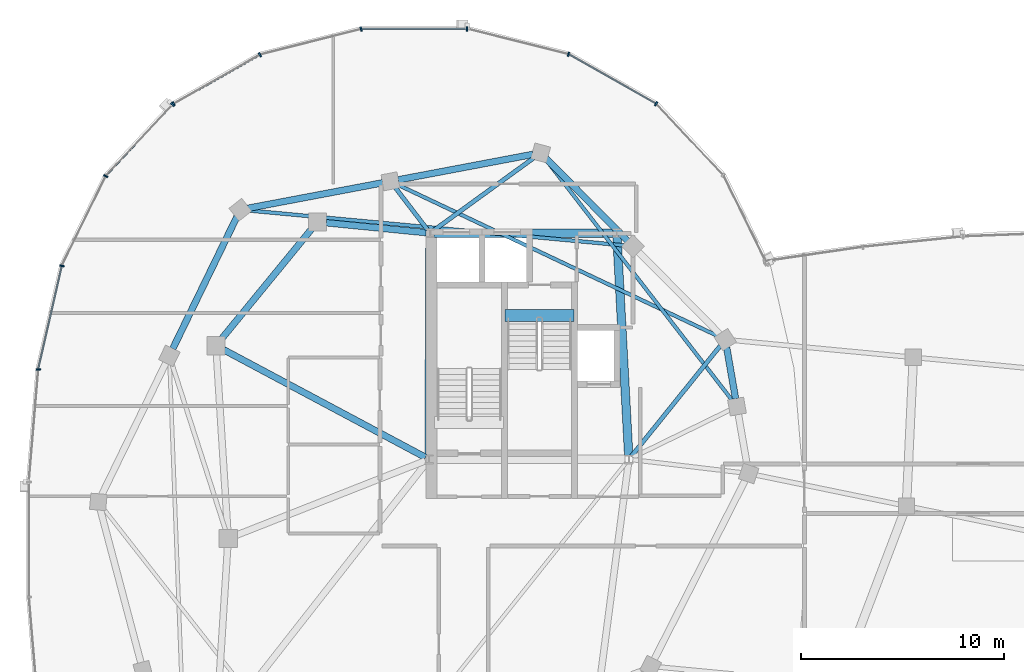
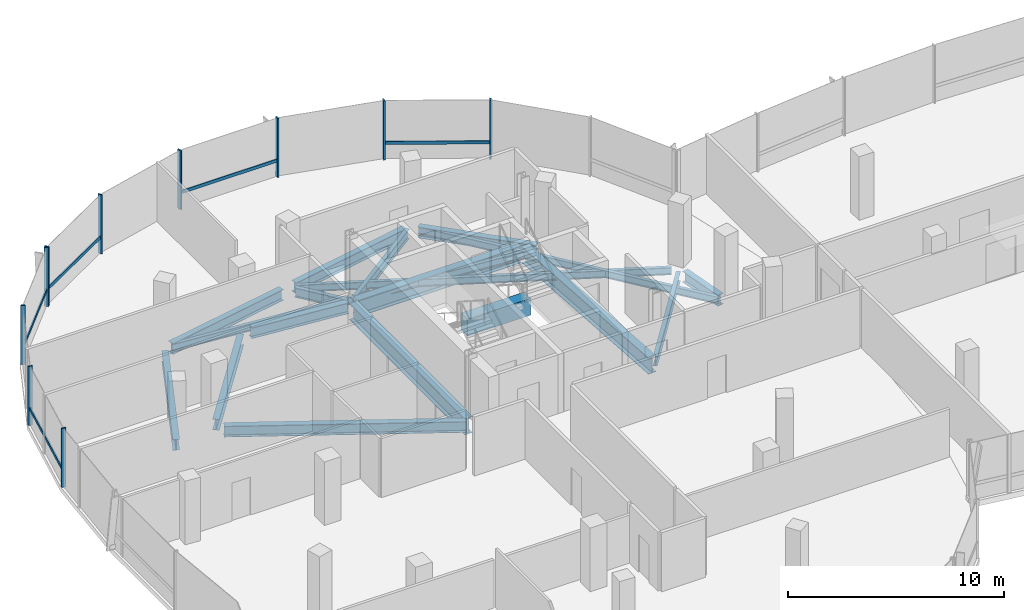
# One storey, part 6 of 25: 18 beams, 15 members, 2 elements without a shape of their own.
"""IFC4 building model written with IfcOpenShell, lengths in metres."""

from ifc_helpers import new_model, si_unit, direction, frame, origin, origin_2d, place, context, subcontext, project, spatial, rectangle, i_section, extrude, material, material_profile, profile_set, type_object, element, aggregate, save


model = new_model("IFC4")

# Units and contexts
model_context = context("Model", 3, precision=1e-05, world=origin(), true_north=direction((0.0, 1.0)))
body_context = subcontext(model_context, "Body", "Model", "MODEL_VIEW")
ifc_project = project(units=[si_unit("LENGTHUNIT", "METRE"), si_unit("AREAUNIT", "SQUARE_METRE"), si_unit("VOLUMEUNIT", "CUBIC_METRE"), si_unit("PLANEANGLEUNIT", "RADIAN"), si_unit("MASSUNIT", "GRAM", prefix="KILO"), si_unit("THERMODYNAMICTEMPERATUREUNIT", "KELVIN"), si_unit("POWERUNIT", "WATT")], contexts=[model_context])

# Site, building, storey
site_placement = place(None, origin())
site = spatial("IfcSite", under=ifc_project, at=site_placement, CompositionType="ELEMENT")
building_placement = place(site_placement, origin())
building = spatial("IfcBuilding", under=site, at=building_placement, Name="Cundina Bronze Exchange", CompositionType="ELEMENT")
storey_placement = place(building_placement, frame((0.0, 0.0, 254.0)))
storey = spatial("IfcBuildingStorey", under=building, at=storey_placement, Name="L67", CompositionType="ELEMENT", Elevation=254.0)

# Beams
ifc_material_1 = material(Name="Concrete C60/75", Category="concrete")
ifc_material_profile_1 = material_profile(ifc_material_1, rectangle(XDim=0.60009765625, YDim=0.949951171875, at=origin_2d()), Name="RC600X950", Category="concrete")
ifc_profile_set_1 = profile_set([ifc_material_profile_1], Name="Concrete C60/75")
beam_type_1 = type_object("IfcBeamType", Name="BM-COUP-RC950", PredefinedType="LINTEL", material=ifc_profile_set_1)
beam_1_placement = place(storey_placement, frame((-27.56005859375, 10.97998046875, -0.47509765625), z_axis=(1.0, 0.0, 0.0), x_axis=(0.0, 1.0, 0.0)))
element("IfcBeam", 1, at=beam_1_placement, inside=storey, type_object=beam_type_1, Name="L67 Stair W2 Landing Header Beam", PredefinedType="LINTEL", context=body_context, shape_type="SweptSolid", body=[
    extrude(rectangle(XDim=0.60009765625, YDim=0.949951171875, at=origin_2d()), origin(), (0.0, 0.0, 1.0), 3.400146484375),
])
ifc_material_2 = material(Name="Steel ASTM A992 Grade 50", Category="steel")
ifc_material_profile_2 = material_profile(ifc_material_2, i_section(OverallWidth=0.2119140625, OverallDepth=0.5439453125, WebThickness=0.01318359375, FlangeThickness=0.021240234375, FilletRadius=0.013916015625, at=origin_2d()), Name="W21X83", Category="steel")
ifc_profile_set_2 = profile_set([ifc_material_profile_2], Name="Steel ASTM A992 Grade 50")
beam_type_2 = type_object("IfcBeamType", Name="BM-FLR-W21A", PredefinedType="BEAM", material=ifc_profile_set_2)
beam_2_placement = place(storey_placement, frame((-21.3271484375, 4.052734375, -0.531982421875), z_axis=(0.627111236784, 0.778929712297, 0.0), x_axis=(-0.778929712297, 0.627111236784, 0.0)))
element("IfcBeam", 2, at=beam_2_placement, inside=storey, type_object=beam_type_2, Name="L67 Leg W Radial Floor Beam 02", PredefinedType="BEAM", context=body_context, shape_type="SweptSolid", body=[
    extrude(i_section(OverallWidth=0.2119140625, OverallDepth=0.5439453125, WebThickness=0.01318359375, FlangeThickness=0.021240234375, FilletRadius=0.013916015625, at=origin_2d()), origin(), (0.0, 0.0, 1.0), 6.990478515625),
])
beam_3_placement = place(storey_placement, frame((-31.09130859375, 15.1650390625, -0.531982421875), z_axis=(0.809701976545, 0.586841298119, 0.0), x_axis=(-0.586841298119, 0.809701976545, 0.0)))
element("IfcBeam", 3, at=beam_3_placement, inside=storey, type_object=beam_type_2, Name="L67 Leg W Radial Floor Beam 04", PredefinedType="BEAM", context=body_context, shape_type="SweptSolid", body=[
    extrude(i_section(OverallWidth=0.2119140625, OverallDepth=0.5439453125, WebThickness=0.01318359375, FlangeThickness=0.021240234375, FilletRadius=0.013916015625, at=origin_2d()), origin(), (0.0, 0.0, 1.0), 6.146728515625),
])
beam_4_placement = place(storey_placement, frame((-31.369140625, 15.205810546875, -0.531982421875), z_axis=(-0.607470812638, 0.794341999263, 0.0), x_axis=(-0.794341999263, -0.607470812638, 0.0)))
element("IfcBeam", 4, at=beam_4_placement, inside=storey, type_object=beam_type_2, Name="L67 Leg W Radial Floor Beam 05", PredefinedType="BEAM", context=body_context, shape_type="SweptSolid", body=[
    extrude(i_section(OverallWidth=0.2119140625, OverallDepth=0.5439453125, WebThickness=0.01318359375, FlangeThickness=0.021240234375, FilletRadius=0.013916015625, at=origin_2d()), origin(), (0.0, 0.0, 1.0), 2.6259765625),
])
ifc_material_profile_3 = material_profile(ifc_material_2, i_section(OverallWidth=0.178955078125, OverallDepth=0.409912109375, WebThickness=0.0087890625, FlangeThickness=0.014404296875, FilletRadius=0.010986328125, at=origin_2d()), Name="W16X45", Category="steel")
ifc_profile_set_3 = profile_set([ifc_material_profile_3], Name="Steel ASTM A992 Grade 50")
beam_type_3 = type_object("IfcBeamType", Name="BM-JST-W16", PredefinedType="JOIST", material=ifc_profile_set_3)
beam_5_placement = place(storey_placement, frame((-16.362548828125, 6.806884765625, -0.465087890625), z_axis=(-0.612077855816, 0.790797507849, 0.0), x_axis=(-0.790797507849, -0.612077855816, 0.0)))
element("IfcBeam", 5, at=beam_5_placement, inside=storey, type_object=beam_type_3, Name="L67 Leg W Lobe Floor Joist 01-04", PredefinedType="JOIST", context=body_context, shape_type="SweptSolid", body=[
    extrude(i_section(OverallWidth=0.178955078125, OverallDepth=0.409912109375, WebThickness=0.0087890625, FlangeThickness=0.014404296875, FilletRadius=0.010986328125, at=origin_2d()), origin(), (0.0, 0.0, 1.0), 15.03076171875),
])
beam_6_placement = place(storey_placement, frame((-17.05078125, 9.9658203125, -0.465087890625), z_axis=(-0.904073247994, 0.427377540661, 0.0), x_axis=(-0.427377540661, -0.904073247994, 0.0)))
element("IfcBeam", 6, at=beam_6_placement, inside=storey, type_object=beam_type_3, Name="L67 Leg W Lobe Floor Joist 02-05", PredefinedType="JOIST", context=body_context, shape_type="SweptSolid", body=[
    extrude(i_section(OverallWidth=0.178955078125, OverallDepth=0.409912109375, WebThickness=0.0087890625, FlangeThickness=0.014404296875, FilletRadius=0.010986328125, at=origin_2d()), origin(), (0.0, 0.0, 1.0), 17.474609375),
])
beam_7_placement = place(storey_placement, frame((-21.63623046875, 14.435791015625, -0.465087890625), z_axis=(-0.995700514338, 0.092630911398, 0.0), x_axis=(-0.092630911398, -0.995700514338, 0.0)))
element("IfcBeam", 7, at=beam_7_placement, inside=storey, type_object=beam_type_3, Name="L67 Leg W Lobe Floor Joist 03-06", PredefinedType="JOIST", context=body_context, shape_type="SweptSolid", body=[
    extrude(i_section(OverallWidth=0.178955078125, OverallDepth=0.409912109375, WebThickness=0.0087890625, FlangeThickness=0.014404296875, FilletRadius=0.010986328125, at=origin_2d()), origin(), (0.0, 0.0, 1.0), 18.65771484375),
])
ifc_material_profile_4 = material_profile(ifc_material_2, i_section(OverallWidth=0.324951171875, OverallDepth=0.615966796875, WebThickness=0.013916015625, FlangeThickness=0.021484375, FilletRadius=0.01611328125, at=origin_2d()), Name="W24X117", Category="steel")
ifc_profile_set_4 = profile_set([ifc_material_profile_4], Name="Steel ASTM A992 Grade 50")
beam_type_4 = type_object("IfcBeamType", Name="BM-RING-W24", PredefinedType="USERDEFINED", material=ifc_profile_set_4)
beam_8_placement = place(storey_placement, frame((-31.445068359375, 15.0693359375, -0.568115234375), z_axis=(-0.995123854478, 0.09863323096, 0.0), x_axis=(-0.09863323096, -0.995123854478, 0.0)))
element("IfcBeam", 8, at=beam_8_placement, inside=storey, type_object=beam_type_4, Name="L67 W Inner Structural Ring Girder 01", ObjectType="GIRDER", PredefinedType="USERDEFINED", context=body_context, shape_type="SweptSolid", body=[
    extrude(i_section(OverallWidth=0.324951171875, OverallDepth=0.615966796875, WebThickness=0.013916015625, FlangeThickness=0.021484375, FilletRadius=0.01611328125, at=origin_2d()), origin(), (0.0, 0.0, 1.0), 4.943115234375),
])
beam_9_placement = place(storey_placement, frame((-37.07763671875, 15.26123046875, -0.568115234375), z_axis=(-0.633912590175, -0.77340469873, 0.0), x_axis=(0.77340469873, -0.633912590175, 0.0)))
element("IfcBeam", 9, at=beam_9_placement, inside=storey, type_object=beam_type_4, Name="L67 W Inner Structural Ring Girder 02", ObjectType="GIRDER", PredefinedType="USERDEFINED", context=body_context, shape_type="SweptSolid", body=[
    extrude(i_section(OverallWidth=0.324951171875, OverallDepth=0.615966796875, WebThickness=0.013916015625, FlangeThickness=0.021484375, FilletRadius=0.01611328125, at=origin_2d()), origin(), (0.0, 0.0, 1.0), 7.01123046875),
])
beam_10_placement = place(storey_placement, frame((-31.472900390625, 3.9921875, -0.568115234375), z_axis=(-0.882350541683, 0.470592734317, 0.0), x_axis=(-0.470592734317, -0.882350541683, 0.0)))
element("IfcBeam", 10, at=beam_10_placement, inside=storey, type_object=beam_type_4, Name="L67 W Core-to-Waist Tie Beam 2", ObjectType="GIRDER", PredefinedType="USERDEFINED", context=body_context, shape_type="SweptSolid", body=[
    extrude(i_section(OverallWidth=0.324951171875, OverallDepth=0.615966796875, WebThickness=0.013916015625, FlangeThickness=0.021484375, FilletRadius=0.01611328125, at=origin_2d()), origin(), (0.0, 0.0, 1.0), 11.26611328125),
])
beam_11_placement = place(storey_placement, frame((-16.191650390625, 6.882080078125, -0.568115234375), z_axis=(-0.171593362587, 0.985167862811, 0.0), x_axis=(-0.985167862811, -0.171593362587, 0.0)))
element("IfcBeam", 11, at=beam_11_placement, inside=storey, type_object=beam_type_4, Name="L67 W Perimeter Ring Girder 01", ObjectType="GIRDER", PredefinedType="USERDEFINED", context=body_context, shape_type="SweptSolid", body=[
    extrude(i_section(OverallWidth=0.324951171875, OverallDepth=0.615966796875, WebThickness=0.013916015625, FlangeThickness=0.021484375, FilletRadius=0.01611328125, at=origin_2d()), origin(), (0.0, 0.0, 1.0), 2.57373046875),
])
beam_12_placement = place(storey_placement, frame((-21.52294921875, 14.67578125, -0.568115234375), z_axis=(-0.703215820204, 0.710976448425, 0.0), x_axis=(-0.710976448425, -0.703215820204, 0.0)))
element("IfcBeam", 12, at=beam_12_placement, inside=storey, type_object=beam_type_4, Name="L67 W Perimeter Ring Girder 03", ObjectType="GIRDER", PredefinedType="USERDEFINED", context=body_context, shape_type="SweptSolid", body=[
    extrude(i_section(OverallWidth=0.324951171875, OverallDepth=0.615966796875, WebThickness=0.013916015625, FlangeThickness=0.021484375, FilletRadius=0.01611328125, at=origin_2d()), origin(), (0.0, 0.0, 1.0), 5.694091796875),
])
beam_13_placement = place(storey_placement, frame((-26.18115234375, 18.927978515625, -0.568115234375), z_axis=(-0.982568104771, -0.185902984072, 0.0), x_axis=(0.185902984072, -0.982568104771, 0.0)))
element("IfcBeam", 13, at=beam_13_placement, inside=storey, type_object=beam_type_4, Name="L67 W Perimeter Ring Girder 04", ObjectType="GIRDER", PredefinedType="USERDEFINED", context=body_context, shape_type="SweptSolid", body=[
    extrude(i_section(OverallWidth=0.324951171875, OverallDepth=0.615966796875, WebThickness=0.013916015625, FlangeThickness=0.021484375, FilletRadius=0.01611328125, at=origin_2d()), origin(), (0.0, 0.0, 1.0), 6.75537109375),
])
beam_14_placement = place(storey_placement, frame((-33.581298828125, 17.52783203125, -0.568115234375), z_axis=(-0.982573456977, -0.185874693392, 0.0), x_axis=(0.185874693392, -0.982573456977, 0.0)))
element("IfcBeam", 14, at=beam_14_placement, inside=storey, type_object=beam_type_4, Name="L67 W Perimeter Ring Girder 05", ObjectType="GIRDER", PredefinedType="USERDEFINED", context=body_context, shape_type="SweptSolid", body=[
    extrude(i_section(OverallWidth=0.324951171875, OverallDepth=0.615966796875, WebThickness=0.013916015625, FlangeThickness=0.021484375, FilletRadius=0.01611328125, at=origin_2d()), origin(), (0.0, 0.0, 1.0), 6.755126953125),
])
beam_15_placement = place(storey_placement, frame((-40.76953125, 15.85107421875, -0.568115234375), z_axis=(-0.437216986791, -0.899356050995, 0.0), x_axis=(0.899356050995, -0.437216986791, 0.0)))
element("IfcBeam", 15, at=beam_15_placement, inside=storey, type_object=beam_type_4, Name="L67 W Perimeter Ring Girder 06", ObjectType="GIRDER", PredefinedType="USERDEFINED", context=body_context, shape_type="SweptSolid", body=[
    extrude(i_section(OverallWidth=0.324951171875, OverallDepth=0.615966796875, WebThickness=0.013916015625, FlangeThickness=0.021484375, FilletRadius=0.01611328125, at=origin_2d()), origin(), (0.0, 0.0, 1.0), 7.2294921875),
])
ifc_material_profile_5 = material_profile(ifc_material_2, i_section(OverallWidth=0.41796875, OverallDepth=0.927001953125, WebThickness=0.019287109375, FlangeThickness=0.031982421875, FilletRadius=0.02392578125, at=origin_2d()), Name="W36X231", Category="steel")
ifc_profile_set_5 = profile_set([ifc_material_profile_5], Name="Steel ASTM A992 Grade 50")
beam_type_5 = type_object("IfcBeamType", Name="BM-WRN-W36B", PredefinedType="USERDEFINED", material=ifc_profile_set_5)
beam_16_placement = place(storey_placement, frame((-21.46044921875, 4.095703125, -0.723388671875), z_axis=(-0.053749317644, 0.998554460634, 0.0), x_axis=(-0.998554460634, -0.053749317644, 0.0)))
element("IfcBeam", 16, at=beam_16_placement, inside=storey, type_object=beam_type_5, Name="L67 W Core Perimeter Tie Girder 2", ObjectType="GIRDER", PredefinedType="USERDEFINED", context=body_context, shape_type="SweptSolid", body=[
    extrude(i_section(OverallWidth=0.41796875, OverallDepth=0.927001953125, WebThickness=0.019287109375, FlangeThickness=0.031982421875, FilletRadius=0.02392578125, at=origin_2d()), origin(), (0.0, 0.0, 1.0), 10.774169921875),
])
beam_17_placement = place(storey_placement, frame((-22.24609375, 15.050048828125, -0.723388671875), z_axis=(-1.0, 0.0, 0.0), x_axis=(0.0, -1.0, 0.0)))
element("IfcBeam", 17, at=beam_17_placement, inside=storey, type_object=beam_type_5, Name="L67 W Core Perimeter Tie Girder 3", ObjectType="GIRDER", PredefinedType="USERDEFINED", context=body_context, shape_type="SweptSolid", body=[
    extrude(i_section(OverallWidth=0.41796875, OverallDepth=0.927001953125, WebThickness=0.019287109375, FlangeThickness=0.031982421875, FilletRadius=0.02392578125, at=origin_2d()), origin(), (0.0, 0.0, 1.0), 8.807861328125),
])
beam_18_placement = place(storey_placement, frame((-31.2509765625, 14.85400390625, -0.723388671875), z_axis=(-0.004470623654, -0.999990006712, 0.0), x_axis=(0.999990006712, -0.004470623654, 0.0)))
element("IfcBeam", 18, at=beam_18_placement, inside=storey, type_object=beam_type_5, Name="L67 W Core Perimeter Tie Girder 4", ObjectType="GIRDER", PredefinedType="USERDEFINED", context=body_context, shape_type="SweptSolid", body=[
    extrude(i_section(OverallWidth=0.41796875, OverallDepth=0.927001953125, WebThickness=0.019287109375, FlangeThickness=0.031982421875, FilletRadius=0.02392578125, at=origin_2d()), origin(), (0.0, 0.0, 1.0), 10.758056640625),
])

# Curtain wall, members
ifc_material_3 = material(Name="Anodised Bronze Aluminium 6063-T6", Category="aluminium")
curtain_wall_type = type_object("IfcCurtainWallType", Name="CWS-SKG-BRG", PredefinedType="NOTDEFINED", material=ifc_material_3)
curtain_wall_1_placement = place(storey_placement, origin())
curtain_wall_1 = element("IfcCurtainWall", 19, at=curtain_wall_1_placement, inside=storey, type_object=curtain_wall_type, Name="L67 CW-06 Curtain Wall Run CWR-L67-W1", PredefinedType="NOTDEFINED")
ifc_material_profile_6 = material_profile(ifc_material_3, rectangle(XDim=0.074951171875, YDim=0.219970703125, at=origin_2d()), Name="AL75X220", Category="aluminium")
ifc_profile_set_6 = profile_set([ifc_material_profile_6], Name="Anodised Bronze Aluminium 6063-T6")
member_type_1 = type_object("IfcMemberType", Name="CWM-MUL-220", PredefinedType="MULLION", material=ifc_profile_set_6)
member_1_placement = place(storey_placement, frame((-20.11083984375, 21.419921875, 0.0), z_axis=(0.0, 0.0, 1.0), x_axis=(-0.86958112538, 0.493790103568, 0.0)))
member_1 = element("IfcMember", 20, at=member_1_placement, type_object=member_type_1, Name="CW-06 Mullion 3", PredefinedType="MULLION", context=body_context, shape_type="SweptSolid", body=[
    extrude(rectangle(XDim=0.074951171875, YDim=0.219970703125, at=origin_2d()), origin(), (0.0, 0.0, 1.0), 3.340087890625),
])
member_2_placement = place(storey_placement, frame((-24.4296875, 23.86181640625, 0.0), z_axis=(0.0, 0.0, 1.0), x_axis=(-0.969744325821, 0.244122802168, 0.0)))
member_2 = element("IfcMember", 21, at=member_2_placement, type_object=member_type_1, Name="CW-06 Mullion 4", PredefinedType="MULLION", context=body_context, shape_type="SweptSolid", body=[
    extrude(rectangle(XDim=0.074951171875, YDim=0.219970703125, at=origin_2d()), origin(), (0.0, 0.0, 1.0), 3.340087890625),
])
member_3_placement = place(storey_placement, frame((-29.423583984375, 25.110107421875, 0.0), z_axis=(0.0, 0.0, 1.0), x_axis=(-1.0, 0.0, 0.0)))
member_3 = element("IfcMember", 22, at=member_3_placement, type_object=member_type_1, Name="CW-06 Mullion 5", PredefinedType="MULLION", context=body_context, shape_type="SweptSolid", body=[
    extrude(rectangle(XDim=0.074951171875, YDim=0.219970703125, at=origin_2d()), origin(), (0.0, 0.0, 1.0), 3.340087890625),
])
member_4_placement = place(storey_placement, frame((-34.648193359375, 25.10107421875, 0.0), z_axis=(0.0, 0.0, 1.0), x_axis=(-0.969744325821, -0.244122802168, 0.0)))
member_4 = element("IfcMember", 23, at=member_4_placement, type_object=member_type_1, Name="CW-06 Mullion 6", PredefinedType="MULLION", context=body_context, shape_type="SweptSolid", body=[
    extrude(rectangle(XDim=0.074951171875, YDim=0.219970703125, at=origin_2d()), origin(), (0.0, 0.0, 1.0), 3.340087890625),
])
member_5_placement = place(storey_placement, frame((-39.634521484375, 23.8359375, 0.0), z_axis=(0.0, 0.0, 1.0), x_axis=(-0.86958112538, -0.493790103568, 0.0)))
member_5 = element("IfcMember", 24, at=member_5_placement, type_object=member_type_1, Name="CW-06 Mullion 7", PredefinedType="MULLION", context=body_context, shape_type="SweptSolid", body=[
    extrude(rectangle(XDim=0.074951171875, YDim=0.219970703125, at=origin_2d()), origin(), (0.0, 0.0, 1.0), 3.340087890625),
])
member_6_placement = place(storey_placement, frame((-43.88916015625, 21.419921875, 0.0), z_axis=(0.0, 0.0, 1.0), x_axis=(-0.86958112538, -0.493790103568, 0.0)))
member_6 = element("IfcMember", 25, at=member_6_placement, type_object=member_type_1, Name="CW-06 End Mullion", PredefinedType="MULLION", context=body_context, shape_type="SweptSolid", body=[
    extrude(rectangle(XDim=0.074951171875, YDim=0.219970703125, at=origin_2d()), origin(), (0.0, 0.0, 1.0), 3.340087890625),
])

curtain_wall_2_placement = place(storey_placement, origin())
curtain_wall_2 = element("IfcCurtainWall", 26, at=curtain_wall_2_placement, inside=storey, type_object=curtain_wall_type, Name="L67 CW-06 Curtain Wall Run CWR-L67-W2", PredefinedType="NOTDEFINED")
member_7_placement = place(storey_placement, frame((-43.940185546875, 21.3798828125, 0.0), z_axis=(0.0, 0.0, 1.0), x_axis=(-0.684292606175, -0.729207535023, 0.0)))
member_7 = element("IfcMember", 27, at=member_7_placement, type_object=member_type_1, Name="CW-06 Mullion 1", PredefinedType="MULLION", context=body_context, shape_type="SweptSolid", body=[
    extrude(rectangle(XDim=0.074951171875, YDim=0.219970703125, at=origin_2d()), origin(), (0.0, 0.0, 1.0), 3.340087890625),
])
member_8_placement = place(storey_placement, frame((-47.2333984375, 17.856689453125, 0.0), z_axis=(0.0, 0.0, 1.0), x_axis=(-0.440566004113, -0.897720221461, 0.0)))
member_8 = element("IfcMember", 28, at=member_8_placement, type_object=member_type_1, Name="CW-06 Mullion 2", PredefinedType="MULLION", context=body_context, shape_type="SweptSolid", body=[
    extrude(rectangle(XDim=0.074951171875, YDim=0.219970703125, at=origin_2d()), origin(), (0.0, 0.0, 1.0), 3.340087890625),
])
member_9_placement = place(storey_placement, frame((-49.39404296875, 13.433837890625, 0.0), z_axis=(0.0, 0.0, 1.0), x_axis=(-0.223250116011, -0.974761194191, 0.0)))
member_9 = element("IfcMember", 29, at=member_9_placement, type_object=member_type_1, Name="CW-06 Mullion 3", PredefinedType="MULLION", context=body_context, shape_type="SweptSolid", body=[
    extrude(rectangle(XDim=0.074951171875, YDim=0.219970703125, at=origin_2d()), origin(), (0.0, 0.0, 1.0), 3.340087890625),
])
member_10_placement = place(storey_placement, frame((-50.557861328125, 8.32568359375, 0.0), z_axis=(0.0, 0.0, 1.0), x_axis=(-0.083677843332, -0.99649285925, 0.0)))
member_10 = element("IfcMember", 30, at=member_10_placement, type_object=member_type_1, Name="CW-06 Mullion 4", PredefinedType="MULLION", context=body_context, shape_type="SweptSolid", body=[
    extrude(rectangle(XDim=0.074951171875, YDim=0.219970703125, at=origin_2d()), origin(), (0.0, 0.0, 1.0), 3.340087890625),
])

# Member
ifc_material_profile_7 = material_profile(ifc_material_3, rectangle(XDim=0.070068359375, YDim=0.179931640625, at=origin_2d()), Name="AL70X180", Category="aluminium")
ifc_profile_set_7 = profile_set([ifc_material_profile_7], Name="Anodised Bronze Aluminium 6063-T6")
member_type_2 = type_object("IfcMemberType", Name="CWM-TRN-180", PredefinedType="USERDEFINED", material=ifc_profile_set_7)
member_11_placement = place(storey_placement, frame((-20.146728515625, 21.440185546875, 0.919921875), z_axis=(-0.869557366176, 0.493831941989, 0.0), x_axis=(-0.493831941989, -0.869557366176, 0.0)))
member_11 = element("IfcMember", 31, at=member_11_placement, type_object=member_type_2, Name="CW-06 Spandrel Transom 3", ObjectType="TRANSOM", PredefinedType="USERDEFINED", context=body_context, shape_type="SweptSolid", body=[
    extrude(rectangle(XDim=0.070068359375, YDim=0.179931640625, at=origin_2d()), origin(), (0.0, 0.0, 1.0), 4.892822265625),
])

member_12_placement = place(storey_placement, frame((-29.464599609375, 25.110107421875, 0.919921875), z_axis=(-1.0, 0.0, 0.0), x_axis=(0.0, -1.0, 0.0)))
member_12 = element("IfcMember", 32, at=member_12_placement, type_object=member_type_2, Name="CW-06 Spandrel Transom 5", ObjectType="TRANSOM", PredefinedType="USERDEFINED", context=body_context, shape_type="SweptSolid", body=[
    extrude(rectangle(XDim=0.070068359375, YDim=0.179931640625, at=origin_2d()), origin(), (0.0, 0.0, 1.0), 5.1533203125),
])

member_13_placement = place(storey_placement, frame((-39.67041015625, 23.815673828125, 0.919921875), z_axis=(-0.869558105282, -0.493830640542, 0.0), x_axis=(0.493830640542, -0.869558105282, 0.0)))
member_13 = element("IfcMember", 33, at=member_13_placement, type_object=member_type_2, Name="CW-06 Spandrel Transom 7", ObjectType="TRANSOM", PredefinedType="USERDEFINED", context=body_context, shape_type="SweptSolid", body=[
    extrude(rectangle(XDim=0.070068359375, YDim=0.179931640625, at=origin_2d()), origin(), (0.0, 0.0, 1.0), 4.810302734375),
])

aggregate(curtain_wall_1, [member_1, member_11, member_2, member_3, member_12, member_4, member_5, member_6, member_13])

member_14_placement = place(storey_placement, frame((-43.968505859375, 21.349609375, 0.919921875), z_axis=(-0.684328474899, -0.729173873944, 0.0), x_axis=(0.729173873944, -0.684328474899, 0.0)))
member_14 = element("IfcMember", 34, at=member_14_placement, type_object=member_type_2, Name="CW-06 Spandrel Transom 1", ObjectType="TRANSOM", PredefinedType="USERDEFINED", context=body_context, shape_type="SweptSolid", body=[
    extrude(rectangle(XDim=0.070068359375, YDim=0.179931640625, at=origin_2d()), origin(), (0.0, 0.0, 1.0), 4.758056640625),
])

member_15_placement = place(storey_placement, frame((-49.4033203125, 13.3935546875, 0.919921875), z_axis=(-0.223257048806, -0.974759606343, 0.0), x_axis=(0.974759606343, -0.223257048806, 0.0)))
member_15 = element("IfcMember", 35, at=member_15_placement, type_object=member_type_2, Name="CW-06 Spandrel Transom 3", ObjectType="TRANSOM", PredefinedType="USERDEFINED", context=body_context, shape_type="SweptSolid", body=[
    extrude(rectangle(XDim=0.070068359375, YDim=0.179931640625, at=origin_2d()), origin(), (0.0, 0.0, 1.0), 5.15283203125),
])

aggregate(curtain_wall_2, [member_7, member_14, member_8, member_9, member_15, member_10])

save(model, "model.ifc")
